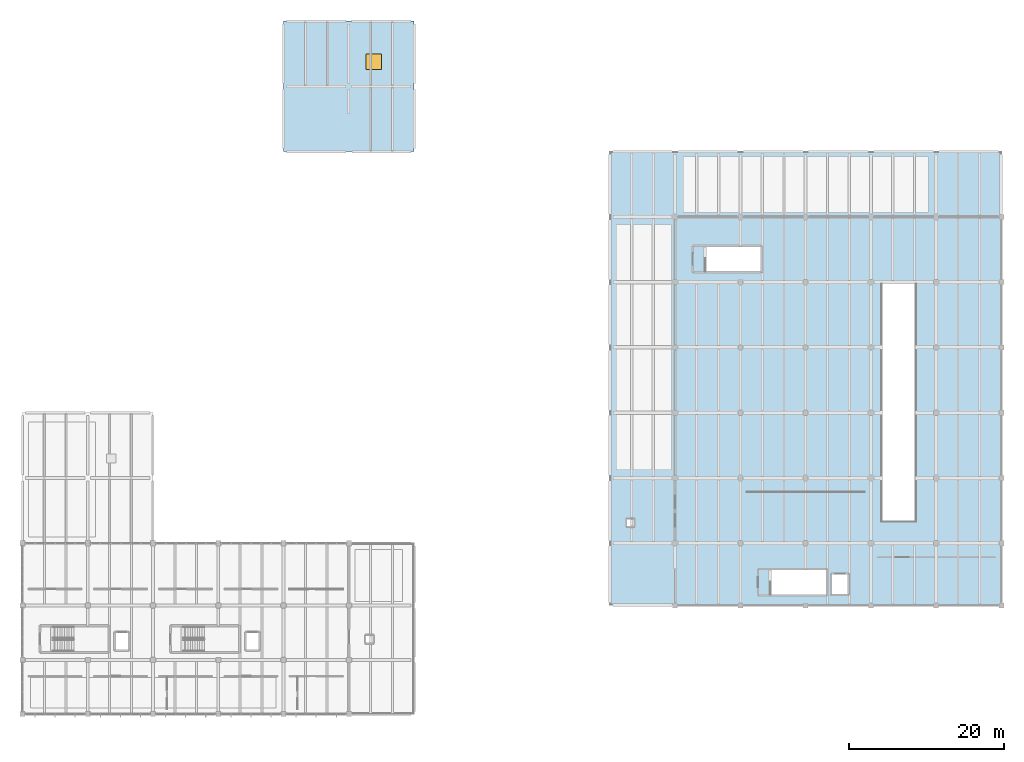
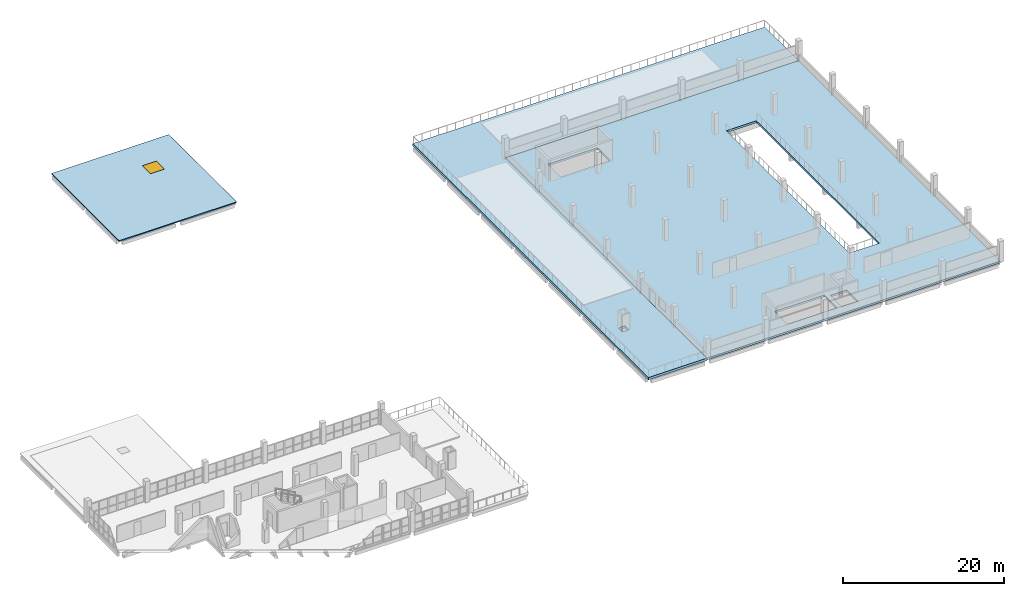
# One storey, part 25 of 33: 3 slabs, 1 window, 1 opening.
"""IFC4 building model written with IfcOpenShell, lengths in metres."""

from ifc_helpers import new_model, si_unit, direction, frame, origin, origin_2d, place, context, subcontext, project, spatial, polyline, rectangle, outline, extrude, material, layer, layer_set, type_object, element, fill, save


model = new_model("IFC4")

# Units and contexts
model_context = context("Model", 3, precision=1e-05, world=origin(), true_north=direction((0.0, 1.0)))
body_context = subcontext(model_context, "Body", "Model", "MODEL_VIEW")
ifc_project = project(units=[si_unit("LENGTHUNIT", "METRE"), si_unit("AREAUNIT", "SQUARE_METRE"), si_unit("VOLUMEUNIT", "CUBIC_METRE"), si_unit("PLANEANGLEUNIT", "RADIAN"), si_unit("MASSUNIT", "GRAM", prefix="KILO"), si_unit("THERMODYNAMICTEMPERATUREUNIT", "KELVIN"), si_unit("POWERUNIT", "WATT")], contexts=[model_context])

# Site, building, storey
site_placement = place(None, origin())
site = spatial("IfcSite", under=ifc_project, at=site_placement, CompositionType="ELEMENT")
building_placement = place(site_placement, origin())
building = spatial("IfcBuilding", under=site, at=building_placement, Name="Mavoryth Pier Ferry Terminal", CompositionType="ELEMENT")
storey_placement = place(building_placement, frame((0.0, 0.0, 13.1201171875)))
storey = spatial("IfcBuildingStorey", under=building, at=storey_placement, Name="L03", CompositionType="ELEMENT", Elevation=13.1201171875)

# Slab
ifc_material_1 = material(Name="Concrete C40/50", Category="concrete")
ifc_layer_1 = layer(ifc_material_1, 0.300048828125, Name="Concrete C40/50", Category="concrete")
ifc_layer_set_1 = layer_set([ifc_layer_1], Name="Concrete C40/50 - Slab-Floor-VehicleUpper-300")
slab_type_1 = type_object("IfcSlabType", Name="Slab-Floor-VehicleUpper-300", PredefinedType="FLOOR", material=ifc_layer_set_1)
slab_1_placement = place(storey_placement, frame((0.0, 0.0, -0.300048828125)))
element("IfcSlab", 1, at=slab_1_placement, inside=storey, type_object=slab_type_1, Name="Slab SLB-V4-L03", PredefinedType="FLOOR", context=body_context, shape_type="SweptSolid", body=[
    extrude(outline(polyline([(126.0, 14.0), (168.0, 14.0), (168.0, 64.0), (126.0, 64.0), (126.0, 14.0)]), holes=[polyline([(138.300048828125, 15.39990234375), (145.39990234375, 15.39990234375), (145.39990234375, 18.550048828125), (138.300048828125, 18.550048828125), (138.300048828125, 15.39990234375)]), polyline([(129.89990234375, 57.0), (137.0, 57.0), (137.0, 60.14990234375), (129.89990234375, 60.14990234375), (129.89990234375, 57.0)]), polyline([(146.050048828125, 15.300048828125), (148.35009765625, 15.300048828125), (148.35009765625, 18.10009765625), (146.050048828125, 18.10009765625), (146.050048828125, 15.300048828125)]), polyline([(152.659912109375, 24.85009765625), (156.93994140625, 24.85009765625), (156.93994140625, 55.35009765625), (152.659912109375, 55.35009765625), (152.659912109375, 24.85009765625)])]), origin(), (0.0, 0.0, 1.0), 0.300048828125),
])

# Slab, opening, window
ifc_material_2 = material(Name="Concrete C35/45", Category="concrete")
ifc_layer_2 = layer(ifc_material_2, 0.159912109375, Name="Concrete C35/45", Category="concrete")
ifc_layer_set_2 = layer_set([ifc_layer_2], Name="Concrete C35/45 - Slab-Roof-Canopy-160")
slab_type_2 = type_object("IfcSlabType", Name="Slab-Roof-Canopy-160", PredefinedType="ROOF", material=ifc_layer_set_2)
slab_2_placement = place(storey_placement, frame((0.0, 0.0, -0.16015625)))
slab_2 = element("IfcSlab", 2, at=slab_2_placement, inside=storey, type_object=slab_type_2, Name="Slab SLB-V2-PAV-RF", PredefinedType="ROOF", context=body_context, shape_type="SweptSolid", body=[
    extrude(outline(polyline([(75.60009765625, 72.39990234375), (92.39990234375, 72.39990234375), (92.39990234375, 89.199951171875), (75.60009765625, 89.199951171875), (75.60009765625, 72.39990234375)]), holes=[polyline([(86.199951171875, 83.0), (88.199951171875, 83.0), (88.199951171875, 85.0), (86.199951171875, 85.0), (86.199951171875, 83.0)])]), origin(), (0.0, 0.0, 1.0), 0.16015625),
])
opening_placement = place(slab_2_placement, frame((87.199951171875, 84.0, 0.0)))
opening = element("IfcOpeningElement", 3, at=opening_placement, cuts=slab_2, Name="Opening SK04", PredefinedType="OPENING", context=body_context, shape_type="SweptSolid", body=[
    extrude(rectangle(XDim=2.0, YDim=2.0, at=origin_2d()), frame((0.0, 0.0, -0.010009765625)), (0.0, 0.0, 1.0), 0.18017578125),
])
ifc_material_3 = material(Name="Thermally Broken Aluminium and Low-E Double Glazing", Category="aluminium")
window_type = type_object("IfcWindowType", Name="Skylight-Pavilion-2000x2000", PartitioningType="SINGLE_PANEL", PredefinedType="SKYLIGHT", material=ifc_material_3)
window_placement = place(opening_placement, frame((0.0, 0.0, 0.110107421875)))
window = element("IfcWindow", 4, at=window_placement, inside=storey, type_object=window_type, Name="Roof Skylight 7", OverallHeight=2.0, OverallWidth=2.0, PartitioningType="SINGLE_PANEL", PredefinedType="SKYLIGHT", context=body_context, shape_type="SweptSolid", body=[
    extrude(rectangle(XDim=2.0, YDim=2.0, at=origin_2d()), origin(), (0.0, 0.0, 1.0), 0.050048828125),
])
fill(opening, window)

# Slab
ifc_layer_3 = layer(ifc_material_2, 0.360107421875, Name="Concrete C35/45", Category="concrete")
ifc_layer_set_3 = layer_set([ifc_layer_3], Name="Concrete C35/45 - Slab-Terrace-Garden-360")
slab_type_3 = type_object("IfcSlabType", Name="Slab-Terrace-Garden-360", PredefinedType="FLOOR", material=ifc_layer_set_3)
slab_3_placement = place(storey_placement, frame((0.0, 0.0, -0.360107421875)))
element("IfcSlab", 5, at=slab_3_placement, inside=storey, type_object=slab_type_3, Name="Slab SLB-V4-GDN-L03", PredefinedType="FLOOR", context=body_context, shape_type="SweptSolid", body=[
    extrude(outline(polyline([(117.60009765625, 14.0), (126.0, 14.0), (126.0, 64.0), (168.0, 64.0), (168.0, 72.39990234375), (117.60009765625, 72.39990234375), (117.60009765625, 14.0)]), holes=[polyline([(119.800048828125, 24.199951171875), (120.699951171875, 24.199951171875), (120.699951171875, 25.10009765625), (119.800048828125, 25.10009765625), (119.800048828125, 24.199951171875)])]), origin(), (0.0, 0.0, 1.0), 0.360107421875),
])

save(model, "model.ifc")
